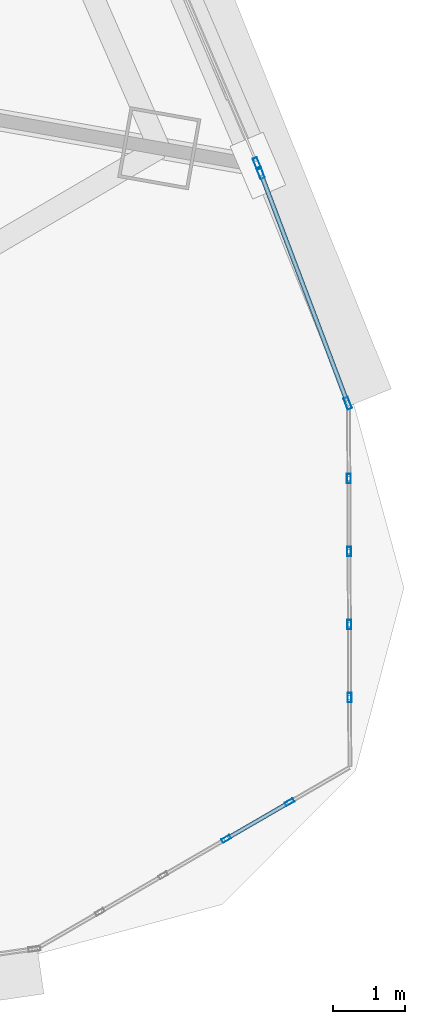
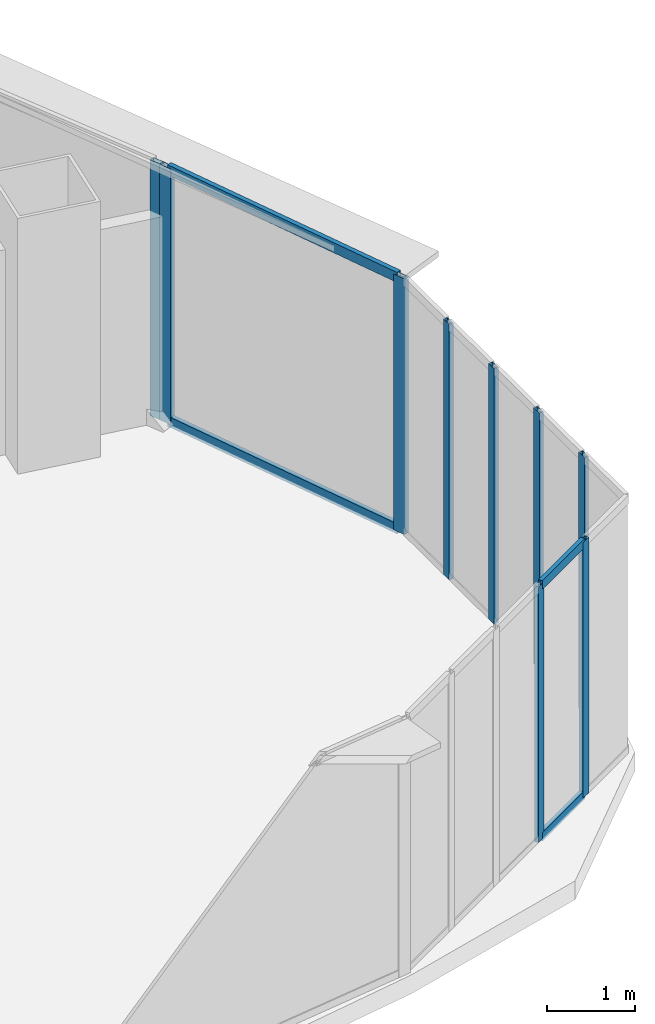
# One storey, part 24 of 41: 13 members, 4 elements without a shape of their own.
"""IFC4 building model written with IfcOpenShell, lengths in metres."""

from ifc_helpers import new_model, si_unit, direction, frame, origin, origin_2d, place, context, subcontext, project, spatial, hollow_rectangle, extrude, source, transform, mapped, material, layer, layer_set, material_profile, profile_set, type_object, element, aggregate, save


model = new_model("IFC4")

# Units and contexts
model_context = context("Model", 3, precision=1e-05, world=origin(), true_north=direction((0.0, 1.0)))
body_context = subcontext(model_context, "Body", "Model", "MODEL_VIEW")
ifc_project = project(units=[si_unit("LENGTHUNIT", "METRE"), si_unit("AREAUNIT", "SQUARE_METRE"), si_unit("VOLUMEUNIT", "CUBIC_METRE"), si_unit("PLANEANGLEUNIT", "RADIAN"), si_unit("MASSUNIT", "GRAM", prefix="KILO"), si_unit("THERMODYNAMICTEMPERATUREUNIT", "KELVIN"), si_unit("POWERUNIT", "WATT")], contexts=[model_context])

# Site, building, storey
site_placement = place(None, origin())
site = spatial("IfcSite", under=ifc_project, at=site_placement, CompositionType="ELEMENT")
building_placement = place(site_placement, origin())
building = spatial("IfcBuilding", under=site, at=building_placement, Name="Yunzhuo Pagoda Commons", CompositionType="ELEMENT")
storey_placement = place(building_placement, frame((0.0, 0.0, 111.580078125)))
storey = spatial("IfcBuildingStorey", under=building, at=storey_placement, Name="L28", CompositionType="ELEMENT", Elevation=111.580078125)

# Curtain wall, member
ifc_material = material(Name="Anodized aluminium 6063-T6", Category="aluminium")
ifc_layer_1 = layer(ifc_material, 0.1650390625)
ifc_layer_set_1 = layer_set([ifc_layer_1], Name="Anodized aluminium 6063-T6")
curtain_wall_type_1 = type_object("IfcCurtainWallType", Name="CW-LOW Low-Zone Ribbon Curtain Wall", PredefinedType="NOTDEFINED", material=ifc_layer_set_1)
curtain_wall_1_placement = place(storey_placement, origin())
curtain_wall_1 = element("IfcCurtainWall", 1, at=curtain_wall_1_placement, inside=storey, type_object=curtain_wall_type_1, Name="L28 curtain wall CW-L28-F2B2", PredefinedType="NOTDEFINED")
ifc_material_profile_1 = material_profile(ifc_material, hollow_rectangle(XDim=0.06494140625, YDim=0.1650390625, WallThickness=0.00390625, at=origin_2d()), Name="Anodized aluminium 6063-T6")
ifc_profile_set_1 = profile_set([ifc_material_profile_1], Name="Anodized aluminium 6063-T6")
member_type_1 = type_object("IfcMemberType", Name="CW-LOW-M Mullion RHS 165x65x4", PredefinedType="MULLION", material=ifc_profile_set_1)
shared_shape_1 = source(origin(), body_context, "Body", "SweptSolid", [
    extrude(hollow_rectangle(XDim=0.06494140625, YDim=0.1650390625, WallThickness=0.00390625, at=origin_2d()), origin(), (0.0, 0.0, 1.0), 3.5400390625),
])
member_1_placement = place(storey_placement, frame((87.712890625, 26.72509765625, 0.0), z_axis=(0.0, 0.0, 1.0), x_axis=(-0.919648900825, -0.392741517046, 0.0)))
member_1 = element("IfcMember", 2, at=member_1_placement, type_object=member_type_1, Name="CW mullion 1", PredefinedType="MULLION", context=body_context, shape_type="MappedRepresentation", body=[
    mapped(shared_shape_1, transform((0.0, 0.0, 0.0), scale=1.0)),
])
aggregate(curtain_wall_1, [member_1])

# Curtain wall, members
curtain_wall_2_placement = place(storey_placement, origin())
curtain_wall_2 = element("IfcCurtainWall", 3, at=curtain_wall_2_placement, inside=storey, type_object=curtain_wall_type_1, Name="L28 curtain wall CW-L28-F2B1", PredefinedType="NOTDEFINED")
member_2_placement = place(storey_placement, frame((88.976318359375, 23.386962890625, 0.0), z_axis=(0.0, 0.0, 1.0), x_axis=(-0.935396805779, -0.353599796011, 0.0)))
member_2 = element("IfcMember", 4, at=member_2_placement, type_object=member_type_1, Name="CW mullion 1", PredefinedType="MULLION", context=body_context, shape_type="MappedRepresentation", body=[
    mapped(shared_shape_1, transform((0.0, 0.0, 0.0), scale=1.0)),
])
member_3_placement = place(storey_placement, frame((87.763671875, 26.5947265625, 0.0), z_axis=(0.0, 0.0, 1.0), x_axis=(-0.935396805779, -0.353599796011, 0.0)))
member_3 = element("IfcMember", 5, at=member_3_placement, type_object=member_type_1, Name="CW mullion 2", PredefinedType="MULLION", context=body_context, shape_type="MappedRepresentation", body=[
    mapped(shared_shape_1, transform((0.0, 0.0, 0.0), scale=1.0)),
])

ifc_layer_2 = layer(ifc_material, 0.1298828125)
ifc_layer_set_2 = layer_set([ifc_layer_2], Name="Anodized aluminium 6063-T6")
curtain_wall_type_2 = type_object("IfcCurtainWallType", Name="CW-VTX Rounded Corner Curtain Wall", PredefinedType="NOTDEFINED", material=ifc_layer_set_2)
curtain_wall_3_placement = place(storey_placement, origin())
curtain_wall_3 = element("IfcCurtainWall", 6, at=curtain_wall_3_placement, inside=storey, type_object=curtain_wall_type_2, Name="L28 curtain wall CW-L28-VTX2S1", PredefinedType="NOTDEFINED")
ifc_material_profile_2 = material_profile(ifc_material, hollow_rectangle(XDim=0.054931640625, YDim=0.1298828125, WallThickness=0.00341796875, at=origin_2d()), Name="Anodized aluminium 6063-T6")
ifc_profile_set_2 = profile_set([ifc_material_profile_2], Name="Anodized aluminium 6063-T6")
member_type_2 = type_object("IfcMemberType", Name="CW-VTX-M Mullion RHS 130x55x3.5", PredefinedType="MULLION", material=ifc_profile_set_2)
shared_shape_2 = source(origin(), body_context, "Body", "SweptSolid", [
    extrude(hollow_rectangle(XDim=0.054931640625, YDim=0.1298828125, WallThickness=0.00341796875, at=origin_2d()), origin(), (0.0, 0.0, 1.0), 3.5400390625),
])
member_4_placement = place(storey_placement, frame((87.285888671875, 17.322998046875, 0.0), z_axis=(0.0, 0.0, 1.0), x_axis=(-0.501032393989, 0.865428529789, 0.0)))
member_4 = element("IfcMember", 7, at=member_4_placement, type_object=member_type_2, Name="CW mullion 4", PredefinedType="MULLION", context=body_context, shape_type="MappedRepresentation", body=[
    mapped(shared_shape_2, transform((0.0, 0.0, 0.0), scale=1.0)),
])
member_5_placement = place(storey_placement, frame((88.166015625, 17.832763671875, 0.0), z_axis=(0.0, 0.0, 1.0), x_axis=(-0.501032393989, 0.865428529789, 0.0)))
member_5 = element("IfcMember", 8, at=member_5_placement, type_object=member_type_2, Name="CW mullion 5", PredefinedType="MULLION", context=body_context, shape_type="MappedRepresentation", body=[
    mapped(shared_shape_2, transform((0.0, 0.0, 0.0), scale=1.0)),
])

curtain_wall_4_placement = place(storey_placement, origin())
curtain_wall_4 = element("IfcCurtainWall", 9, at=curtain_wall_4_placement, inside=storey, type_object=curtain_wall_type_2, Name="L28 curtain wall CW-L28-VTX2S2", PredefinedType="NOTDEFINED")
member_6_placement = place(storey_placement, frame((89.00244140625, 19.289306640625, 0.0), z_axis=(0.0, 0.0, 1.0), x_axis=(-0.999993522017, -0.003599433805, 0.0)))
member_6 = element("IfcMember", 10, at=member_6_placement, type_object=member_type_2, Name="CW mullion 2", PredefinedType="MULLION", context=body_context, shape_type="MappedRepresentation", body=[
    mapped(shared_shape_2, transform((0.0, 0.0, 0.0), scale=1.0)),
])
member_7_placement = place(storey_placement, frame((88.998779296875, 20.30615234375, 0.0), z_axis=(0.0, 0.0, 1.0), x_axis=(-0.999993522017, -0.003599433805, 0.0)))
member_7 = element("IfcMember", 11, at=member_7_placement, type_object=member_type_2, Name="CW mullion 3", PredefinedType="MULLION", context=body_context, shape_type="MappedRepresentation", body=[
    mapped(shared_shape_2, transform((0.0, 0.0, 0.0), scale=1.0)),
])
member_8_placement = place(storey_placement, frame((88.9951171875, 21.32275390625, 0.0), z_axis=(0.0, 0.0, 1.0), x_axis=(-0.999993522017, -0.003599433805, 0.0)))
member_8 = element("IfcMember", 12, at=member_8_placement, type_object=member_type_2, Name="CW mullion 4", PredefinedType="MULLION", context=body_context, shape_type="MappedRepresentation", body=[
    mapped(shared_shape_2, transform((0.0, 0.0, 0.0), scale=1.0)),
])
member_9_placement = place(storey_placement, frame((88.991455078125, 22.339599609375, 0.0), z_axis=(0.0, 0.0, 1.0), x_axis=(-0.999993522017, -0.003599433805, 0.0)))
member_9 = element("IfcMember", 13, at=member_9_placement, type_object=member_type_2, Name="CW mullion 5", PredefinedType="MULLION", context=body_context, shape_type="MappedRepresentation", body=[
    mapped(shared_shape_2, transform((0.0, 0.0, 0.0), scale=1.0)),
])
aggregate(curtain_wall_4, [member_6, member_7, member_8, member_9])

# Member
ifc_material_profile_3 = material_profile(ifc_material, hollow_rectangle(XDim=0.06005859375, YDim=0.139892578125, WallThickness=0.00341796875, at=origin_2d()), Name="Anodized aluminium 6063-T6")
ifc_profile_set_3 = profile_set([ifc_material_profile_3], Name="Anodized aluminium 6063-T6")
member_type_3 = type_object("IfcMemberType", Name="CW-LOW-T Transom RHS 140x60x3.5", PredefinedType="USERDEFINED", material=ifc_profile_set_3)
shared_shape_3 = source(origin(), body_context, "Body", "SweptSolid", [
    extrude(hollow_rectangle(XDim=0.06005859375, YDim=0.139892578125, WallThickness=0.00341796875, at=origin_2d()), origin(), (0.0, 0.0, 1.0), 3.3642578125),
])
member_10_placement = place(storey_placement, frame((88.96484375, 23.417236328125, 0.030029296875), z_axis=(-0.353555799884, 0.935413436064, 0.0), x_axis=(-0.935413436064, -0.353555799884, 0.0)))
member_10 = element("IfcMember", 14, at=member_10_placement, type_object=member_type_3, Name="CW transom 1.1", ObjectType="TRANSOM", PredefinedType="USERDEFINED", context=body_context, shape_type="MappedRepresentation", body=[
    mapped(shared_shape_3, transform((0.0, 0.0, 0.0), scale=1.0)),
])

member_11_placement = place(storey_placement, frame((88.96484375, 23.417236328125, 3.510009765625), z_axis=(-0.353555799884, 0.935413436064, 0.0), x_axis=(-0.935413436064, -0.353555799884, 0.0)))
member_11 = element("IfcMember", 15, at=member_11_placement, type_object=member_type_3, Name="CW transom 1.2", ObjectType="TRANSOM", PredefinedType="USERDEFINED", context=body_context, shape_type="MappedRepresentation", body=[
    mapped(shared_shape_3, transform((0.0, 0.0, 0.0), scale=1.0)),
])

aggregate(curtain_wall_2, [member_2, member_3, member_10, member_11])

ifc_material_profile_4 = material_profile(ifc_material, hollow_rectangle(XDim=0.054931640625, YDim=0.1201171875, WallThickness=0.00341796875, at=origin_2d()), Name="Anodized aluminium 6063-T6")
ifc_profile_set_4 = profile_set([ifc_material_profile_4], Name="Anodized aluminium 6063-T6")
member_type_4 = type_object("IfcMemberType", Name="CW-VTX-T Transom RHS 120x55x3.5", PredefinedType="USERDEFINED", material=ifc_profile_set_4)
shared_shape_4 = source(origin(), body_context, "Body", "SweptSolid", [
    extrude(hollow_rectangle(XDim=0.054931640625, YDim=0.1201171875, WallThickness=0.00341796875, at=origin_2d()), origin(), (0.0, 0.0, 1.0), 0.961669921875),
])
member_12_placement = place(storey_placement, frame((87.31005859375, 17.336669921875, 0.02734375), z_axis=(0.865211833193, 0.501406505445, 0.0), x_axis=(-0.501406505445, 0.865211833193, 0.0)))
member_12 = element("IfcMember", 16, at=member_12_placement, type_object=member_type_4, Name="CW transom 4.1", ObjectType="TRANSOM", PredefinedType="USERDEFINED", context=body_context, shape_type="MappedRepresentation", body=[
    mapped(shared_shape_4, transform((0.0, 0.0, 0.0), scale=1.0)),
])

member_13_placement = place(storey_placement, frame((87.31005859375, 17.336669921875, 3.512451171875), z_axis=(0.865211833193, 0.501406505445, 0.0), x_axis=(-0.501406505445, 0.865211833193, 0.0)))
member_13 = element("IfcMember", 17, at=member_13_placement, type_object=member_type_4, Name="CW transom 4.2", ObjectType="TRANSOM", PredefinedType="USERDEFINED", context=body_context, shape_type="MappedRepresentation", body=[
    mapped(shared_shape_4, transform((0.0, 0.0, 0.0), scale=1.0)),
])

aggregate(curtain_wall_3, [member_4, member_5, member_12, member_13])

save(model, "model.ifc")
